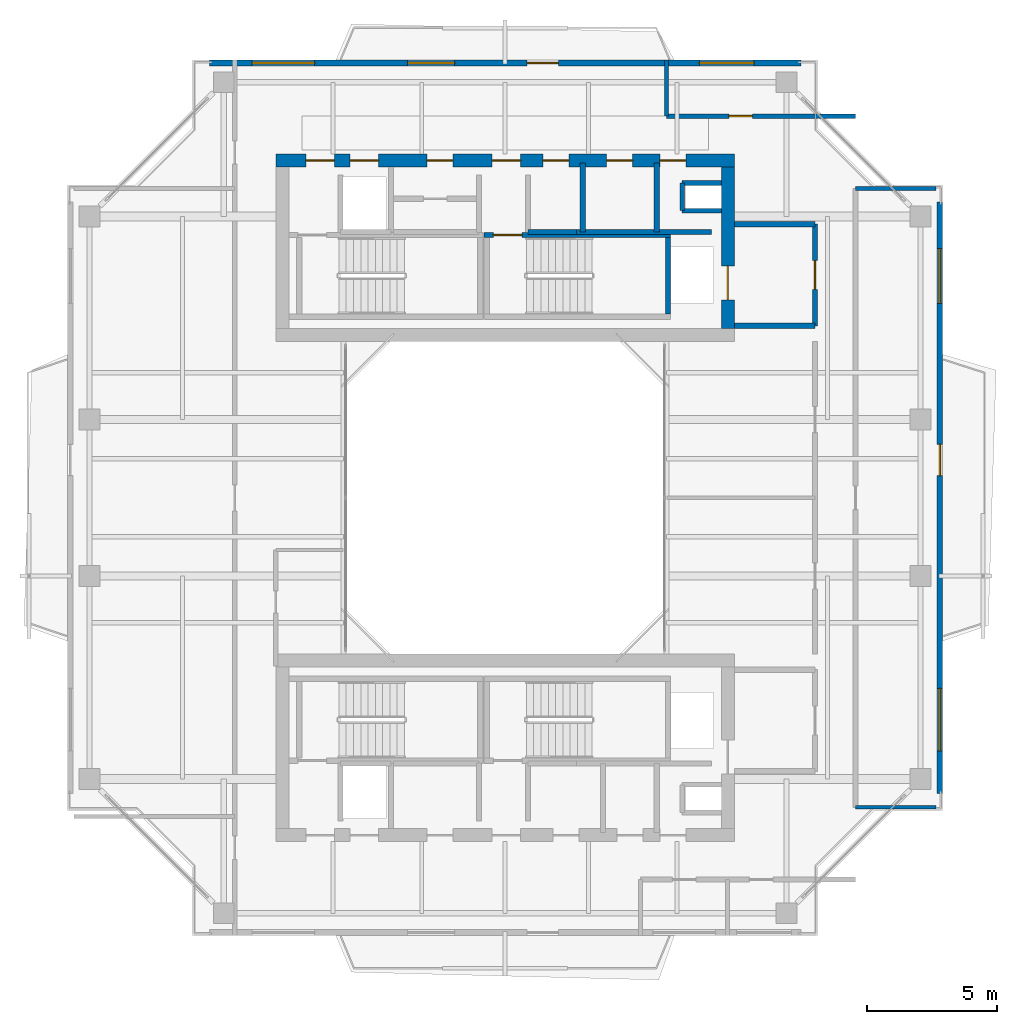
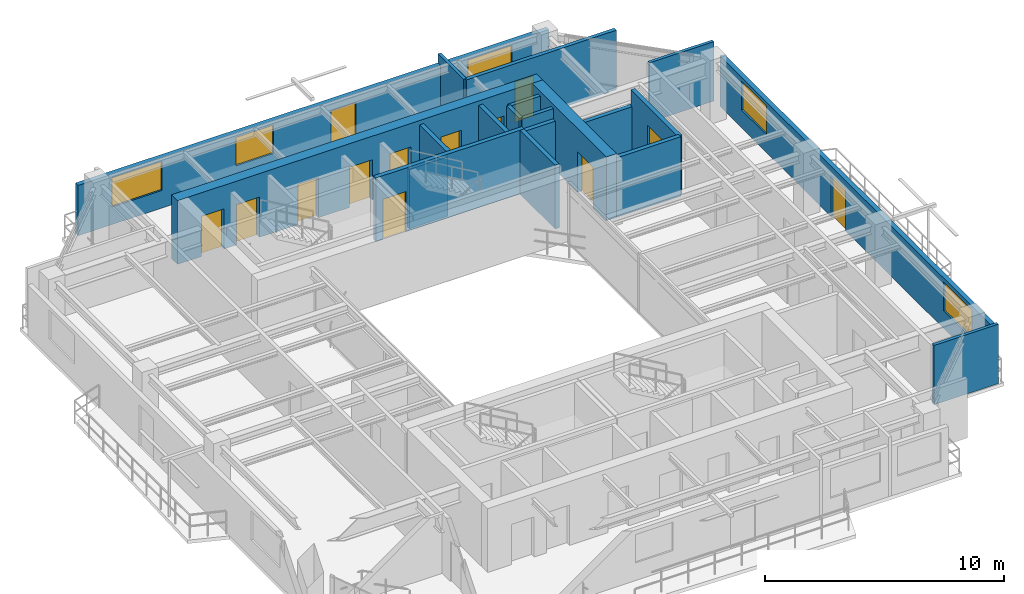
# One storey, part 12 of 16: 20 walls, 13 doors, 5 windows, 18 openings.
"""IFC4 building model written with IfcOpenShell, lengths in metres."""

import ifcopenshell
import ifcopenshell.guid

model = None  # the IFC model being written
_history = None  # IfcOwnerHistory: only IFC2X3 demands one
_inside = {}  # id of a spatial element -> (the spatial element, [elements in it])
_under = {}  # id of a project, library or spatial element -> (it, [spatial elements below it])
_declared = {}  # id of a project -> (the project, [libraries it declares])
_typed = {}  # id of a type object -> (the type object, [elements of that type])
_made_of = {}  # id of a material, layer set ... -> (it, [elements and type objects made of it])


def new_model(schema):
    """Start an empty IFC model of exactly this schema.

    Asked for "IFC4X3", IfcOpenShell would pick the latest addendum, in which some entities
    have other attributes; the version numbers below select the first issue.
    IFC2X3 requires an IfcOwnerHistory on every rooted entity: one is made here for all.
    """
    global model, _history
    if schema == "IFC4X3":
        model = ifcopenshell.file(schema_version=(4, 3, 0, 0))
    else:
        model = ifcopenshell.file(schema=schema)
    _inside.clear()
    _under.clear()
    _declared.clear()
    _typed.clear()
    _made_of.clear()
    _history = None
    if model.schema == "IFC2X3":
        org = make("IfcOrganization", Name="unknown")
        user = make(
            "IfcPersonAndOrganization",
            ThePerson=make("IfcPerson", FamilyName="unknown"),
            TheOrganization=org,
        )
        app = make(
            "IfcApplication",
            ApplicationDeveloper=org,
            Version="unknown",
            ApplicationFullName="unknown",
            ApplicationIdentifier="unknown",
        )
        _history = make(
            "IfcOwnerHistory",
            OwningUser=user,
            OwningApplication=app,
            ChangeAction="ADDED",
            CreationDate=0,
        )
    return model


def make(cls, **values):
    """One entity of the class cls with the attributes given. An attribute that is None is left unset."""
    return model.create_entity(
        cls, **{name: value for name, value in values.items() if value is not None}
    )


def rooted(cls, **values):
    """An entity with a GlobalId (a new one), such as an element, a storey or a relation."""
    return make(cls, GlobalId=ifcopenshell.guid.new(), OwnerHistory=_history, **values)


def si_unit(unit_type, name, prefix=None):
    """IfcSIUnit, for example si_unit("LENGTHUNIT", "METRE", prefix="MILLI")."""
    return make("IfcSIUnit", UnitType=unit_type, Prefix=prefix, Name=name)


def assignment(units):
    """IfcUnitAssignment: the units of a project."""
    return None if units is None else make("IfcUnitAssignment", Units=units)


def point(xyz):
    """IfcCartesianPoint."""
    return None if xyz is None else make("IfcCartesianPoint", Coordinates=xyz)


def direction(xyz):
    """IfcDirection."""
    return None if xyz is None else make("IfcDirection", DirectionRatios=xyz)


def frame(location, z_axis=None, x_axis=None):
    """IfcAxis2Placement3D, a coordinate frame: its origin and axes. An axis left out is left unset."""
    return make(
        "IfcAxis2Placement3D",
        Location=point(location),
        Axis=direction(z_axis),
        RefDirection=direction(x_axis),
    )


def frame_2d(location, x_axis=None):
    """IfcAxis2Placement2D, a coordinate frame in the plane: its origin and x axis."""
    return make(
        "IfcAxis2Placement2D", Location=point(location), RefDirection=direction(x_axis)
    )


def origin():
    """The frame at (0, 0, 0) with its axes left unset."""
    return frame((0.0, 0.0, 0.0))


def place(relative_to, where):
    """IfcLocalPlacement: puts the frame where relative to a parent placement (None: the world)."""
    return make(
        "IfcLocalPlacement", PlacementRelTo=relative_to, RelativePlacement=where
    )


def context(
    kind, dimensions, precision=None, world=None, true_north=None, identifier=None
):
    """IfcGeometricRepresentationContext, for example the 3D "Model" context."""
    return make(
        "IfcGeometricRepresentationContext",
        ContextIdentifier=identifier,
        ContextType=kind,
        CoordinateSpaceDimension=dimensions,
        Precision=precision,
        WorldCoordinateSystem=world,
        TrueNorth=true_north,
    )


def subcontext(parent, identifier, kind, view, scale=None):
    """IfcGeometricRepresentationSubContext, for example "Body" below "Model"."""
    return make(
        "IfcGeometricRepresentationSubContext",
        ContextIdentifier=identifier,
        ContextType=kind,
        ParentContext=parent,
        TargetScale=scale,
        TargetView=view,
    )


def project(units=None, contexts=None):
    """IfcProject with its units and contexts."""
    return rooted(
        "IfcProject",
        Name="project",
        RepresentationContexts=contexts,
        UnitsInContext=assignment(units),
    )


def spatial(cls, under=None, at=None, **own):
    """A site, building, storey or space (cls), placed at a placement, below another one or the project."""
    s = rooted(cls, ObjectPlacement=at, **own)
    if under is not None:
        _under.setdefault(under.id(), (under, []))[1].append(s)
    return s


def profile(cls, at=None, kind="AREA", **sizes):
    """A parametric profile (cls). Its sizes go by their IFC names, for example OverallWidth=200.0."""
    return make(cls, ProfileType=kind, Position=at, **sizes)


def rectangle(**sizes):
    """IfcRectangleProfileDef."""
    return profile("IfcRectangleProfileDef", **sizes)


def extrude(swept, where, along, depth):
    """IfcExtrudedAreaSolid: the profile swept, set in the frame where, extruded along a direction by depth."""
    return make(
        "IfcExtrudedAreaSolid",
        SweptArea=swept,
        Position=where,
        ExtrudedDirection=direction(along),
        Depth=depth,
    )


def shape(context_of_items, identifier, shape_type, items):
    """IfcShapeRepresentation: the items that make up one representation, for example the "Body"."""
    return make(
        "IfcShapeRepresentation",
        ContextOfItems=context_of_items,
        RepresentationIdentifier=identifier,
        RepresentationType=shape_type,
        Items=items,
    )


def source(mapping_origin, context_of_items, identifier, shape_type, items):
    """IfcRepresentationMap: a shape defined once, which mapped items show again and again."""
    return make(
        "IfcRepresentationMap",
        MappingOrigin=mapping_origin,
        MappedRepresentation=shape(context_of_items, identifier, shape_type, items),
    )


def transform(
    local_origin,
    x_axis=None,
    y_axis=None,
    z_axis=None,
    scale=None,
    scale2=None,
    scale3=None,
    uniform=True,
):
    """IfcCartesianTransformationOperator3D, or its non-uniform kind. x_axis, y_axis, z_axis: its Axis1, 2, 3."""
    if uniform:
        return make(
            "IfcCartesianTransformationOperator3D",
            Axis1=direction(x_axis),
            Axis2=direction(y_axis),
            LocalOrigin=point(local_origin),
            Scale=scale,
            Axis3=direction(z_axis),
        )
    return make(
        "IfcCartesianTransformationOperator3DnonUniform",
        Axis1=direction(x_axis),
        Axis2=direction(y_axis),
        LocalOrigin=point(local_origin),
        Scale=scale,
        Axis3=direction(z_axis),
        Scale2=scale2,
        Scale3=scale3,
    )


def mapped(mapping_source, mapping_target):
    """IfcMappedItem: shows the shape of a source again, moved by a transform."""
    return make(
        "IfcMappedItem", MappingSource=mapping_source, MappingTarget=mapping_target
    )


def material(Name=None, Category=None):
    """IfcMaterial."""
    return make("IfcMaterial", Name=Name, Category=Category)


def layer(
    of_material, thickness, ventilated=None, Name=None, Category=None, Priority=None
):
    """IfcMaterialLayer: one layer of a wall or slab, of a material (None: an air gap)."""
    return make(
        "IfcMaterialLayer",
        Material=of_material,
        LayerThickness=thickness,
        IsVentilated=ventilated,
        Name=Name,
        Category=Category,
        Priority=Priority,
    )


def layer_set(layers, Name=None):
    """IfcMaterialLayerSet."""
    return make("IfcMaterialLayerSet", MaterialLayers=layers, LayerSetName=Name)


def made_of(thing, what):
    """Note that an element or type object is made of a material, layer set ...; save() writes the relation."""
    if what is not None:
        _made_of.setdefault(what.id(), (what, []))[1].append(thing)
    return thing


def type_object(cls, material=None, **own):
    """A type object (cls), such as IfcWallType, which elements share."""
    return made_of(rooted(cls, **own), material)


def element(
    cls,
    number,
    at=None,
    inside=None,
    cuts=None,
    type_object=None,
    material=None,
    context=None,
    identifier="Body",
    shape_type=None,
    held_by="IfcProductDefinitionShape",
    body=None,
    shapes=None,
    **own,
):
    """One element of the class cls, such as IfcWall. Its Tag is "e" and its number.

    at: its placement. inside: the storey or other place that contains it. cuts: it is an
    opening in that element (IfcRelVoidsElement). A single representation is given by context,
    identifier, shape_type and body (its items); several are given by shapes. held_by: the class
    of the entity that holds the representations. save() writes the other relations.
    """
    e = rooted(cls, Tag="e%d" % number, ObjectPlacement=at, **own)
    if body is not None:
        shapes = [shape(context, identifier, shape_type, body)]
    if shapes is not None:
        e.Representation = make(held_by, Representations=shapes)
    if inside is not None:
        _inside.setdefault(inside.id(), (inside, []))[1].append(e)
    if cuts is not None:
        rooted(
            "IfcRelVoidsElement", RelatingBuildingElement=cuts, RelatedOpeningElement=e
        )
    if type_object is not None:
        _typed.setdefault(type_object.id(), (type_object, []))[1].append(e)
    return made_of(e, material)


def fill(opening, filler):
    """IfcRelFillsElement: the door or window that sits in an opening."""
    return rooted(
        "IfcRelFillsElement",
        RelatingOpeningElement=opening,
        RelatedBuildingElement=filler,
    )


def aggregate(whole, parts):
    """IfcRelAggregates: a whole, such as a stair, and the parts it consists of."""
    return rooted("IfcRelAggregates", RelatingObject=whole, RelatedObjects=parts)


def save(model, path):
    """Write the relations noted so far, then the file.

    IfcRelAggregates (storeys below a building ...), IfcRelContainedInSpatialStructure (elements
    in a storey), IfcRelDefinesByType, IfcRelAssociatesMaterial and IfcRelDeclares: one each for
    every whole, place, type object, material and project.
    """
    for whole, parts in _under.values():
        aggregate(whole, parts)
    for where, things in _inside.values():
        rooted(
            "IfcRelContainedInSpatialStructure",
            RelatedElements=things,
            RelatingStructure=where,
        )
    for kind, things in _typed.values():
        rooted("IfcRelDefinesByType", RelatedObjects=things, RelatingType=kind)
    for what, things in _made_of.values():
        rooted("IfcRelAssociatesMaterial", RelatedObjects=things, RelatingMaterial=what)
    for by, libraries in _declared.values():
        rooted("IfcRelDeclares", RelatingContext=by, RelatedDefinitions=libraries)
    model.write(path)


model = new_model("IFC4")

# Units and contexts
model_context = context("Model", 3, precision=1e-05, world=origin(), true_north=direction((0.0, 1.0)))
body_context = subcontext(model_context, "Body", "Model", "MODEL_VIEW")
ifc_project = project(units=[si_unit("LENGTHUNIT", "METRE"), si_unit("AREAUNIT", "SQUARE_METRE"), si_unit("VOLUMEUNIT", "CUBIC_METRE"), si_unit("PLANEANGLEUNIT", "RADIAN"), si_unit("MASSUNIT", "GRAM", prefix="KILO"), si_unit("THERMODYNAMICTEMPERATUREUNIT", "KELVIN"), si_unit("POWERUNIT", "WATT")], contexts=[model_context])

# Site, building, storey
site_placement = place(None, origin())
site = spatial("IfcSite", under=ifc_project, at=site_placement, CompositionType="ELEMENT")
building_placement = place(site_placement, origin())
building = spatial("IfcBuilding", under=site, at=building_placement, Name="Qiaomeng Ring Towers", CompositionType="ELEMENT")
storey_placement = place(building_placement, frame((0.0, 0.0, 229.5)))
storey = spatial("IfcBuildingStorey", under=building, at=storey_placement, Name="L67", CompositionType="ELEMENT", Elevation=229.5)

# Wall, openings, windows, door
ifc_material_1 = material(Name="Precast concrete C40", Category="concrete")
ifc_layer_1 = layer(ifc_material_1, 0.219970703125, Name="Precast concrete C40")
ifc_layer_set_1 = layer_set([ifc_layer_1], Name="Precast concrete C40")
wall_type_1 = type_object("IfcWallType", Name="ARC-WL-EW2", PredefinedType="STANDARD", material=ifc_layer_set_1)
wall_1_placement = place(storey_placement, frame((7.64990234375, 39.68994140625, 0.0), z_axis=(0.0, 0.0, 1.0), x_axis=(1.0, 0.0, 0.0)))
wall_1 = element("IfcWall", 1, at=wall_1_placement, inside=storey, type_object=wall_type_1, Name="L67 Tower 1 N Exterior Wall", PredefinedType="STANDARD", context=body_context, shape_type="SweptSolid", body=[
    extrude(rectangle(XDim=22.7001953125, YDim=0.219970703125, at=frame_2d((11.35009765625, 0.0))), origin(), (0.0, 0.0, 1.0), 2.570068359375),
])
opening_1_placement = place(wall_1_placement, frame((12.199951171875, 0.0, 0.0)))
opening_1 = element("IfcOpeningElement", 2, at=opening_1_placement, cuts=wall_1, Name="Opening BD1", PredefinedType="OPENING", context=body_context, shape_type="SweptSolid", body=[
    extrude(rectangle(XDim=1.199951171875, YDim=2.10009765625, at=frame_2d((0.60009765625, 1.050048828125))), frame((0.0, 0.119873046875, 0.0), z_axis=(0.0, -1.0, 0.0), x_axis=(1.0, 0.0, 0.0)), (0.0, 0.0, 1.0), 0.239990234375),
])
opening_2_placement = place(wall_1_placement, frame((1.636962890625, 0.0, 0.89990234375)))
opening_2 = element("IfcOpeningElement", 3, at=opening_2_placement, cuts=wall_1, Name="Opening WN6", PredefinedType="OPENING", context=body_context, shape_type="SweptSolid", body=[
    extrude(rectangle(XDim=2.39990234375, YDim=1.47998046875, at=frame_2d((1.199951171875, 0.739990234375))), frame((0.0, 0.119873046875, 0.0), z_axis=(0.0, -1.0, 0.0), x_axis=(1.0, 0.0, 0.0)), (0.0, 0.0, 1.0), 0.239990234375),
])
opening_3_placement = place(wall_1_placement, frame((7.612060546875, 0.0, 0.89990234375)))
opening_3 = element("IfcOpeningElement", 4, at=opening_3_placement, cuts=wall_1, Name="Opening WN1", PredefinedType="OPENING", context=body_context, shape_type="SweptSolid", body=[
    extrude(rectangle(XDim=1.800048828125, YDim=1.449951171875, at=frame_2d((0.89990234375, 0.72509765625))), frame((0.0, 0.119873046875, 0.0), z_axis=(0.0, -1.0, 0.0), x_axis=(1.0, 0.0, 0.0)), (0.0, 0.0, 1.0), 0.239990234375),
])
opening_4_placement = place(wall_1_placement, frame((18.81201171875, 0.0, 0.89990234375)))
opening_4 = element("IfcOpeningElement", 5, at=opening_4_placement, cuts=wall_1, Name="Opening WN4", PredefinedType="OPENING", context=body_context, shape_type="SweptSolid", body=[
    extrude(rectangle(XDim=2.10009765625, YDim=1.47998046875, at=frame_2d((1.050048828125, 0.739990234375))), frame((0.0, 0.119873046875, 0.0), z_axis=(0.0, -1.0, 0.0), x_axis=(1.0, 0.0, 0.0)), (0.0, 0.0, 1.0), 0.239990234375),
])
ifc_material_2 = material(Name="Low-E dark-grey laminated double glazing", Category="glass")
window_type_1 = type_object("IfcWindowType", Name="ARC-WN-4", PartitioningType="TRIPLE_PANEL_VERTICAL", PredefinedType="WINDOW", material=ifc_material_2)
shared_shape_1 = source(origin(), body_context, "Body", "SweptSolid", [
    extrude(rectangle(XDim=2.10009765625, YDim=1.47998046875, at=frame_2d((1.050048828125, 0.739990234375))), frame((0.0, 0.030029296875, 0.0), z_axis=(0.0, -1.0, 0.0), x_axis=(1.0, 0.0, 0.0)), (0.0, 0.0, 1.0), 0.06005859375),
])
window_1_placement = place(opening_4_placement, origin())
window_1 = element("IfcWindow", 6, at=window_1_placement, inside=storey, type_object=window_type_1, Name="L67 Exterior Window WN4", OverallHeight=1.47998046875, OverallWidth=2.10009765625, PartitioningType="TRIPLE_PANEL_VERTICAL", PredefinedType="WINDOW", context=body_context, shape_type="MappedRepresentation", body=[
    mapped(shared_shape_1, transform((0.0, 0.0, 0.0), x_axis=(1.0, 0.0, 0.0), y_axis=(0.0, 1.0, 0.0), z_axis=(0.0, 0.0, 1.0), scale=1.0)),
])
fill(opening_4, window_1)
window_type_2 = type_object("IfcWindowType", Name="ARC-WN-1", PartitioningType="DOUBLE_PANEL_VERTICAL", PredefinedType="WINDOW", material=ifc_material_2)
shared_shape_2 = source(origin(), body_context, "Body", "SweptSolid", [
    extrude(rectangle(XDim=1.800048828125, YDim=1.449951171875, at=frame_2d((0.89990234375, 0.72509765625))), frame((0.0, 0.030029296875, 0.0), z_axis=(0.0, -1.0, 0.0), x_axis=(1.0, 0.0, 0.0)), (0.0, 0.0, 1.0), 0.06005859375),
])
window_2_placement = place(opening_3_placement, origin())
window_2 = element("IfcWindow", 7, at=window_2_placement, inside=storey, type_object=window_type_2, Name="L67 Exterior Window WN1", OverallHeight=1.449951171875, OverallWidth=1.800048828125, PartitioningType="DOUBLE_PANEL_VERTICAL", PredefinedType="WINDOW", context=body_context, shape_type="MappedRepresentation", body=[
    mapped(shared_shape_2, transform((0.0, 0.0, 0.0), x_axis=(1.0, 0.0, 0.0), y_axis=(0.0, 1.0, 0.0), z_axis=(0.0, 0.0, 1.0), scale=1.0)),
])
fill(opening_3, window_2)
window_type_3 = type_object("IfcWindowType", Name="ARC-WN-6", PartitioningType="TRIPLE_PANEL_VERTICAL", PredefinedType="WINDOW", material=ifc_material_2)
shared_shape_3 = source(origin(), body_context, "Body", "SweptSolid", [
    extrude(rectangle(XDim=2.39990234375, YDim=1.47998046875, at=frame_2d((1.199951171875, 0.739990234375))), frame((0.0, 0.030029296875, 0.0), z_axis=(0.0, -1.0, 0.0), x_axis=(1.0, 0.0, 0.0)), (0.0, 0.0, 1.0), 0.06005859375),
])
window_3_placement = place(opening_2_placement, origin())
window_3 = element("IfcWindow", 8, at=window_3_placement, inside=storey, type_object=window_type_3, Name="L67 Exterior Window WN6", OverallHeight=1.47998046875, OverallWidth=2.39990234375, PartitioningType="TRIPLE_PANEL_VERTICAL", PredefinedType="WINDOW", context=body_context, shape_type="MappedRepresentation", body=[
    mapped(shared_shape_3, transform((0.0, 0.0, 0.0), x_axis=(1.0, 0.0, 0.0), y_axis=(0.0, 1.0, 0.0), z_axis=(0.0, 0.0, 1.0), scale=1.0)),
])
fill(opening_2, window_3)
door_type_1 = type_object("IfcDoorType", Name="ARC-DR-BD1", OperationType="NOTDEFINED", PredefinedType="DOOR", material=ifc_material_2)
shared_shape_4 = source(origin(), body_context, "Body", "SweptSolid", [
    extrude(rectangle(XDim=1.199951171875, YDim=2.10009765625, at=frame_2d((0.60009765625, 1.050048828125))), frame((0.0, 0.02490234375, 0.0), z_axis=(0.0, -1.0, 0.0), x_axis=(1.0, 0.0, 0.0)), (0.0, 0.0, 1.0), 0.050048828125),
])
door_1_placement = place(opening_1_placement, origin())
door_1 = element("IfcDoor", 9, at=door_1_placement, inside=storey, type_object=door_type_1, Name="L67 N Balcony Glazed Door", OperationType="SINGLE_SWING_LEFT", OverallHeight=2.10009765625, OverallWidth=1.199951171875, PredefinedType="DOOR", context=body_context, shape_type="MappedRepresentation", body=[
    mapped(shared_shape_4, transform((0.0, 0.0, 0.0), x_axis=(1.0, 0.0, 0.0), y_axis=(0.0, 1.0, 0.0), z_axis=(0.0, 0.0, 1.0), scale=1.0)),
])
fill(opening_1, door_1)

wall_2_placement = place(storey_placement, frame((35.68994140625, 11.64990234375, 0.0), z_axis=(0.0, 0.0, 1.0), x_axis=(0.0, 1.0, 0.0)))
wall_2 = element("IfcWall", 10, at=wall_2_placement, inside=storey, type_object=wall_type_1, Name="L67 Tower 1 E Exterior Wall", PredefinedType="STANDARD", context=body_context, shape_type="SweptSolid", body=[
    extrude(rectangle(XDim=22.7001953125, YDim=0.219970703125, at=frame_2d((11.35009765625, 0.0))), origin(), (0.0, 0.0, 1.0), 2.570068359375),
])
opening_5_placement = place(wall_2_placement, frame((12.199951171875, 0.0, 0.0)))
opening_5 = element("IfcOpeningElement", 11, at=opening_5_placement, cuts=wall_2, Name="Opening BD1", PredefinedType="OPENING", context=body_context, shape_type="SweptSolid", body=[
    extrude(rectangle(XDim=1.199951171875, YDim=2.10009765625, at=frame_2d((0.60009765625, 1.050048828125))), frame((0.0, 0.119873046875, 0.0), z_axis=(0.0, -1.0, 0.0), x_axis=(1.0, 0.0, 0.0)), (0.0, 0.0, 1.0), 0.239990234375),
])
opening_6_placement = place(wall_2_placement, frame((1.637939453125, 0.0, 0.89990234375)))
opening_6 = element("IfcOpeningElement", 12, at=opening_6_placement, cuts=wall_2, Name="Opening WN6", PredefinedType="OPENING", context=body_context, shape_type="SweptSolid", body=[
    extrude(rectangle(XDim=2.39990234375, YDim=1.47998046875, at=frame_2d((1.199951171875, 0.739990234375))), frame((0.0, 0.119873046875, 0.0), z_axis=(0.0, -1.0, 0.0), x_axis=(1.0, 0.0, 0.0)), (0.0, 0.0, 1.0), 0.239990234375),
])
opening_7_placement = place(wall_2_placement, frame((18.81298828125, 0.0, 0.89990234375)))
opening_7 = element("IfcOpeningElement", 13, at=opening_7_placement, cuts=wall_2, Name="Opening WN4", PredefinedType="OPENING", context=body_context, shape_type="SweptSolid", body=[
    extrude(rectangle(XDim=2.10009765625, YDim=1.47998046875, at=frame_2d((1.050048828125, 0.739990234375))), frame((0.0, 0.119873046875, 0.0), z_axis=(0.0, -1.0, 0.0), x_axis=(1.0, 0.0, 0.0)), (0.0, 0.0, 1.0), 0.239990234375),
])
window_4_placement = place(opening_7_placement, origin())
window_4 = element("IfcWindow", 14, at=window_4_placement, inside=storey, type_object=window_type_1, Name="L67 Exterior Window WN4", OverallHeight=1.47998046875, OverallWidth=2.10009765625, PartitioningType="TRIPLE_PANEL_VERTICAL", PredefinedType="WINDOW", context=body_context, shape_type="MappedRepresentation", body=[
    mapped(shared_shape_1, transform((0.0, 0.0, 0.0), x_axis=(1.0, 0.0, 0.0), y_axis=(0.0, 1.0, 0.0), z_axis=(0.0, 0.0, 1.0), scale=1.0)),
])
fill(opening_7, window_4)
window_5_placement = place(opening_6_placement, origin())
window_5 = element("IfcWindow", 15, at=window_5_placement, inside=storey, type_object=window_type_3, Name="L67 Exterior Window WN6", OverallHeight=1.47998046875, OverallWidth=2.39990234375, PartitioningType="TRIPLE_PANEL_VERTICAL", PredefinedType="WINDOW", context=body_context, shape_type="MappedRepresentation", body=[
    mapped(shared_shape_3, transform((0.0, 0.0, 0.0), x_axis=(1.0, 0.0, 0.0), y_axis=(0.0, 1.0, 0.0), z_axis=(0.0, 0.0, 1.0), scale=1.0)),
])
fill(opening_6, window_5)
door_2_placement = place(opening_5_placement, origin())
door_2 = element("IfcDoor", 16, at=door_2_placement, inside=storey, type_object=door_type_1, Name="L67 E Balcony Glazed Door", OperationType="SINGLE_SWING_LEFT", OverallHeight=2.10009765625, OverallWidth=1.199951171875, PredefinedType="DOOR", context=body_context, shape_type="MappedRepresentation", body=[
    mapped(shared_shape_4, transform((0.0, 0.0, 0.0), x_axis=(1.0, 0.0, 0.0), y_axis=(0.0, 1.0, 0.0), z_axis=(0.0, 0.0, 1.0), scale=1.0)),
])
fill(opening_5, door_2)

# Walls
ifc_material_3 = material(Name="Autoclaved aerated concrete block", Category="concrete")
ifc_layer_2 = layer(ifc_material_3, 0.199951171875, Name="Autoclaved aerated concrete block")
ifc_layer_set_2 = layer_set([ifc_layer_2], Name="Autoclaved aerated concrete block")
wall_type_2 = type_object("IfcWallType", Name="ARC-WL-PW1", PredefinedType="PARTITIONING", material=ifc_layer_set_2)
wall_3_placement = place(storey_placement, frame((27.800048828125, 29.60009765625, 0.0), z_axis=(0.0, 0.0, 1.0), x_axis=(1.0, 0.0, 0.0)))
element("IfcWall", 17, at=wall_3_placement, inside=storey, type_object=wall_type_2, Name="L67 Interior Wall PW1", PredefinedType="PARTITIONING", context=body_context, shape_type="SweptSolid", body=[
    extrude(rectangle(XDim=3.099853515625, YDim=0.199951171875, at=frame_2d((1.5498046875, 0.0))), origin(), (0.0, 0.0, 1.0), 3.030029296875),
])
wall_4_placement = place(storey_placement, frame((27.800048828125, 33.5, 0.0), z_axis=(0.0, 0.0, 1.0), x_axis=(1.0, 0.0, 0.0)))
element("IfcWall", 18, at=wall_4_placement, inside=storey, type_object=wall_type_2, Name="L67 Interior Wall PW1", PredefinedType="PARTITIONING", context=body_context, shape_type="SweptSolid", body=[
    extrude(rectangle(XDim=3.099853515625, YDim=0.199951171875, at=frame_2d((1.5498046875, 0.0))), origin(), (0.0, 0.0, 1.0), 2.22509765625),
])

# Wall, opening, door
wall_5_placement = place(storey_placement, frame((30.89990234375, 29.60009765625, 0.0), z_axis=(0.0, 0.0, 1.0), x_axis=(0.0, 1.0, 0.0)))
wall_5 = element("IfcWall", 19, at=wall_5_placement, inside=storey, type_object=wall_type_2, Name="L67 Interior Wall PW1", PredefinedType="PARTITIONING", context=body_context, shape_type="SweptSolid", body=[
    extrude(rectangle(XDim=3.89990234375, YDim=0.199951171875, at=frame_2d((1.949951171875, 0.0))), origin(), (0.0, 0.0, 1.0), 3.030029296875),
])
opening_8_placement = place(wall_5_placement, frame((1.39990234375, 0.0, 0.0)))
opening_8 = element("IfcOpeningElement", 20, at=opening_8_placement, cuts=wall_5, Name="Opening FD3", PredefinedType="OPENING", context=body_context, shape_type="SweptSolid", body=[
    extrude(rectangle(XDim=1.10009765625, YDim=2.050048828125, at=frame_2d((0.550048828125, 1.02490234375))), frame((0.0, 0.10986328125, 0.0), z_axis=(0.0, -1.0, 0.0), x_axis=(1.0, 0.0, 0.0)), (0.0, 0.0, 1.0), 0.219970703125),
])
ifc_material_4 = material(Name="Galvanised steel", Category="steel")
door_type_2 = type_object("IfcDoorType", Name="ARC-DR-FD3", OperationType="NOTDEFINED", PredefinedType="DOOR", material=ifc_material_4)
shared_shape_5 = source(origin(), body_context, "Body", "SweptSolid", [
    extrude(rectangle(XDim=1.10009765625, YDim=2.050048828125, at=frame_2d((0.550048828125, 1.02490234375))), frame((0.0, 0.02490234375, 0.0), z_axis=(0.0, -1.0, 0.0), x_axis=(1.0, 0.0, 0.0)), (0.0, 0.0, 1.0), 0.050048828125),
])
door_3_placement = place(opening_8_placement, origin())
door_3 = element("IfcDoor", 21, at=door_3_placement, inside=storey, type_object=door_type_2, Name="L67 North FF Lobby Door", OperationType="SINGLE_SWING_RIGHT", OverallHeight=2.050048828125, OverallWidth=1.10009765625, PredefinedType="DOOR", context=body_context, shape_type="MappedRepresentation", body=[
    mapped(shared_shape_5, transform((0.0, 0.0, 0.0), x_axis=(1.0, 0.0, 0.0), y_axis=(0.0, 1.0, 0.0), z_axis=(0.0, 0.0, 1.0), scale=1.0)),
])
fill(opening_8, door_3)

# Walls
wall_6_placement = place(storey_placement, frame((24.820068359375, 33.199951171875, 0.0), z_axis=(0.0, 0.0, 1.0), x_axis=(0.0, 1.0, 0.0)))
element("IfcWall", 22, at=wall_6_placement, inside=storey, type_object=wall_type_2, Name="L67 Interior Wall PW1", PredefinedType="PARTITIONING", context=body_context, shape_type="SweptSolid", body=[
    extrude(rectangle(XDim=2.650146484375, YDim=0.199951171875, at=frame_2d((1.3251953125, 0.0))), origin(), (0.0, 0.0, 1.0), 3.030029296875),
])
wall_7_placement = place(storey_placement, frame((19.8798828125, 33.199951171875, 0.0), z_axis=(0.0, 0.0, 1.0), x_axis=(1.0, 0.0, 0.0)))
element("IfcWall", 23, at=wall_7_placement, inside=storey, type_object=wall_type_2, Name="L67 Interior Wall PW1", PredefinedType="PARTITIONING", context=body_context, shape_type="SweptSolid", body=[
    extrude(rectangle(XDim=1.8701171875, YDim=0.199951171875, at=frame_2d((0.93505859375, 0.0))), origin(), (0.0, 0.0, 1.0), 3.030029296875),
])
wall_8_placement = place(storey_placement, frame((21.97998046875, 33.199951171875, 0.0), z_axis=(0.0, 0.0, 1.0), x_axis=(0.0, 1.0, 0.0)))
element("IfcWall", 24, at=wall_8_placement, inside=storey, type_object=wall_type_2, Name="L67 Interior Wall PW1", PredefinedType="PARTITIONING", context=body_context, shape_type="SweptSolid", body=[
    extrude(rectangle(XDim=2.650146484375, YDim=0.199951171875, at=frame_2d((1.3251953125, 0.0))), origin(), (0.0, 0.0, 1.0), 3.030029296875),
])
wall_9_placement = place(storey_placement, frame((21.75, 33.199951171875, 0.0), z_axis=(0.0, 0.0, 1.0), x_axis=(1.0, 0.0, 0.0)))
element("IfcWall", 25, at=wall_9_placement, inside=storey, type_object=wall_type_2, Name="L67 Interior Wall PW1", PredefinedType="PARTITIONING", context=body_context, shape_type="SweptSolid", body=[
    extrude(rectangle(XDim=5.169921875, YDim=0.199951171875, at=frame_2d((2.5849609375, 0.0))), origin(), (0.0, 0.0, 1.0), 3.030029296875),
])

# Wall, opening, door
ifc_layer_3 = layer(ifc_material_3, 0.179931640625, Name="Autoclaved aerated concrete block")
ifc_layer_set_3 = layer_set([ifc_layer_3], Name="Autoclaved aerated concrete block")
wall_type_3 = type_object("IfcWallType", Name="ARC-WL-PW2", PredefinedType="PARTITIONING", material=ifc_layer_set_3)
wall_10_placement = place(storey_placement, frame((25.199951171875, 37.64990234375, 0.0), z_axis=(0.0, 0.0, 1.0), x_axis=(1.0, 0.0, 0.0)))
wall_10 = element("IfcWall", 26, at=wall_10_placement, inside=storey, type_object=wall_type_3, Name="L67 Interior Wall PW2", PredefinedType="PARTITIONING", context=body_context, shape_type="SweptSolid", body=[
    extrude(rectangle(XDim=7.25, YDim=0.179931640625, at=frame_2d((3.625, 0.0))), origin(), (0.0, 0.0, 1.0), 3.030029296875),
])
opening_9_placement = place(wall_10_placement, frame((2.389892578125, 0.0, 0.0)))
opening_9 = element("IfcOpeningElement", 27, at=opening_9_placement, cuts=wall_10, Name="Opening ID1", PredefinedType="OPENING", context=body_context, shape_type="SweptSolid", body=[
    extrude(rectangle(XDim=0.89990234375, YDim=2.050048828125, at=frame_2d((0.449951171875, 1.02490234375))), frame((0.0, 0.099853515625, 0.0), z_axis=(0.0, -1.0, 0.0), x_axis=(1.0, 0.0, 0.0)), (0.0, 0.0, 1.0), 0.199951171875),
])
ifc_material_5 = material(Name="Engineered oak timber", Category="wood")
door_type_3 = type_object("IfcDoorType", Name="ARC-DR-ID1", OperationType="NOTDEFINED", PredefinedType="DOOR", material=ifc_material_5)
shared_shape_6 = source(origin(), body_context, "Body", "SweptSolid", [
    extrude(rectangle(XDim=0.89990234375, YDim=2.050048828125, at=frame_2d((0.449951171875, 1.02490234375))), frame((0.0, 0.02490234375, 0.0), z_axis=(0.0, -1.0, 0.0), x_axis=(1.0, 0.0, 0.0)), (0.0, 0.0, 1.0), 0.050048828125),
])
door_4_placement = place(opening_9_placement, origin())
door_4 = element("IfcDoor", 28, at=door_4_placement, inside=storey, type_object=door_type_3, Name="L67 Door ID1", OperationType="SINGLE_SWING_LEFT", OverallHeight=2.050048828125, OverallWidth=0.89990234375, PredefinedType="DOOR", context=body_context, shape_type="MappedRepresentation", body=[
    mapped(shared_shape_6, transform((0.0, 0.0, 0.0), x_axis=(1.0, 0.0, 0.0), y_axis=(0.0, 1.0, 0.0), z_axis=(0.0, 0.0, 1.0), scale=1.0)),
])
fill(opening_9, door_4)

# Walls
ifc_material_6 = material(Name="Gypsum fireboard steel-stud partition", Category="steel")
ifc_layer_4 = layer(ifc_material_6, 0.14990234375, Name="Gypsum fireboard steel-stud partition")
ifc_layer_set_4 = layer_set([ifc_layer_4], Name="Gypsum fireboard steel-stud partition")
wall_type_4 = type_object("IfcWallType", Name="ARC-WL-PW3", PredefinedType="PARTITIONING", material=ifc_layer_set_4)
wall_11_placement = place(storey_placement, frame((25.199951171875, 37.64990234375, 0.0), z_axis=(0.0, 0.0, 1.0), x_axis=(0.0, 1.0, 0.0)))
element("IfcWall", 29, at=wall_11_placement, inside=storey, type_object=wall_type_4, Name="L67 Interior Wall PW3", PredefinedType="PARTITIONING", context=body_context, shape_type="SweptSolid", body=[
    extrude(rectangle(XDim=2.150146484375, YDim=0.14990234375, at=frame_2d((1.0751953125, 0.0))), origin(), (0.0, 0.0, 1.0), 3.030029296875),
])
for number, where, z_axis, x_axis, name in (
    (30, (32.449951171875, 34.8798828125, 0.0), (0.0, 0.0, 1.0), (1.0, 0.0, 0.0), "L67 Interior Wall PW3"),
    (31, (32.449951171875, 11.1201171875, 0.0), (0.0, 0.0, 1.0), (1.0, 0.0, 0.0), "L67 Interior Wall PW3"),
):
    element("IfcWall", number, at=place(storey_placement, frame(where, z_axis=z_axis, x_axis=x_axis)), inside=storey, type_object=wall_type_4, Name=name, PredefinedType="PARTITIONING", context=body_context, shape_type="SweptSolid", body=[
        extrude(rectangle(XDim=3.10009765625, YDim=0.14990234375, at=frame_2d((1.550048828125, 0.0))), origin(), (0.0, 0.0, 1.0), 3.030029296875),
    ])
ifc_material_7 = material(Name="Concrete C40", Category="concrete")
ifc_layer_5 = layer(ifc_material_7, 0.199951171875, Name="Concrete C40")
ifc_layer_set_5 = layer_set([ifc_layer_5], Name="Concrete C40")
wall_type_5 = type_object("IfcWallType", Name="STR-WL-STSHAFT", PredefinedType="SHEAR", material=ifc_layer_set_5)
wall_12_placement = place(storey_placement, frame((25.800048828125, 34.02001953125, 0.0), z_axis=(0.0, 0.0, 1.0), x_axis=(0.0, 1.0, 0.0)))
element("IfcWall", 32, at=wall_12_placement, inside=storey, type_object=wall_type_5, Name="L67 Riser RSR1 West Shaft Wall N", PredefinedType="SHEAR", context=body_context, shape_type="SweptSolid", body=[
    extrude(rectangle(XDim=1.06005859375, YDim=0.179931640625, at=frame_2d((0.530029296875, 0.0))), origin(), (0.0, 0.0, 1.0), 3.030029296875),
])
for number, where, z_axis, x_axis, name in (
    (33, (25.800048828125, 35.080078125, 0.0), (0.0, 0.0, 1.0), (1.0, 0.0, 0.0), "L67 Riser RSR1 North Shaft Wall N"),
    (34, (25.800048828125, 34.02001953125, 0.0), (0.0, 0.0, 1.0), (1.0, 0.0, 0.0), "L67 Riser RSR1 South Shaft Wall N"),
):
    element("IfcWall", number, at=place(storey_placement, frame(where, z_axis=z_axis, x_axis=x_axis)), inside=storey, type_object=wall_type_5, Name=name, PredefinedType="SHEAR", context=body_context, shape_type="SweptSolid", body=[
        extrude(rectangle(XDim=1.5, YDim=0.179931640625, at=frame_2d((0.75, 0.0))), origin(), (0.0, 0.0, 1.0), 3.030029296875),
    ])

# Wall, opening, door
wall_13_placement = place(storey_placement, frame((18.199951171875, 33.090087890625, 0.0), z_axis=(0.0, 0.0, 1.0), x_axis=(1.0, 0.0, 0.0)))
wall_13 = element("IfcWall", 35, at=wall_13_placement, inside=storey, type_object=wall_type_5, Name="L67 Stair ST2 North Shaft Shear Wall", PredefinedType="SHEAR", context=body_context, shape_type="SweptSolid", body=[
    extrude(rectangle(XDim=7.150146484375, YDim=0.199951171875, at=frame_2d((3.5751953125, 0.0))), origin(), (0.0, 0.0, 1.0), 3.25),
])
opening_10_placement = place(wall_13_placement, frame((0.35009765625, 0.0, 0.0)))
opening_10 = element("IfcOpeningElement", 36, at=opening_10_placement, cuts=wall_13, Name="Opening FD3", PredefinedType="OPENING", context=body_context, shape_type="SweptSolid", body=[
    extrude(rectangle(XDim=1.10009765625, YDim=2.050048828125, at=frame_2d((0.550048828125, 1.02490234375))), frame((0.0, 0.10986328125, 0.0), z_axis=(0.0, -1.0, 0.0), x_axis=(1.0, 0.0, 0.0)), (0.0, 0.0, 1.0), 0.219970703125),
])
door_5_placement = place(opening_10_placement, origin())
door_5 = element("IfcDoor", 37, at=door_5_placement, inside=storey, type_object=door_type_2, Name="L67 Stair ST2 Exit Door", OperationType="SINGLE_SWING_LEFT", OverallHeight=2.050048828125, OverallWidth=1.10009765625, PredefinedType="DOOR", context=body_context, shape_type="MappedRepresentation", body=[
    mapped(shared_shape_5, transform((0.0, 0.0, 0.0), x_axis=(1.0, 0.0, 0.0), y_axis=(0.0, 1.0, 0.0), z_axis=(0.0, 0.0, 1.0), scale=1.0)),
])
fill(opening_10, door_5)

# Wall
wall_14_placement = place(storey_placement, frame((25.25, 30.050048828125, 0.0), z_axis=(0.0, 0.0, 1.0), x_axis=(0.0, 1.0, 0.0)))
element("IfcWall", 38, at=wall_14_placement, inside=storey, type_object=wall_type_5, Name="L67 Stair ST2 East Shaft Shear Wall", PredefinedType="SHEAR", context=body_context, shape_type="SweptSolid", body=[
    extrude(rectangle(XDim=2.93994140625, YDim=0.199951171875, at=frame_2d((1.469970703125, 0.0))), origin(), (0.0, 0.0, 1.0), 3.25),
])

# Wall, openings, doors
ifc_layer_6 = layer(ifc_material_7, 0.5, Name="Concrete C40")
ifc_layer_set_6 = layer_set([ifc_layer_6], Name="Concrete C40")
wall_type_6 = type_object("IfcWallType", Name="STR-WL-SW3", PredefinedType="SHEAR", material=ifc_layer_set_6)
wall_15_placement = place(storey_placement, frame((10.199951171875, 35.949951171875, 0.0), z_axis=(0.0, 0.0, 1.0), x_axis=(1.0, 0.0, 0.0)))
wall_15 = element("IfcWall", 39, at=wall_15_placement, inside=storey, type_object=wall_type_6, Name="L67 T1NC north core shear wall", PredefinedType="SHEAR", context=body_context, shape_type="SweptSolid", body=[
    extrude(rectangle(XDim=17.60009765625, YDim=0.5, at=frame_2d((8.800048828125, 0.0))), origin(), (0.0, 0.0, 1.0), 3.25),
])
opening_11_placement = place(wall_15_placement, frame((1.14990234375, 0.0, 0.0)))
opening_11 = element("IfcOpeningElement", 40, at=opening_11_placement, cuts=wall_15, Name="Opening FD3", PredefinedType="OPENING", context=body_context, shape_type="SweptSolid", body=[
    extrude(rectangle(XDim=1.10009765625, YDim=2.050048828125, at=frame_2d((0.550048828125, 1.02490234375))), frame((0.0, 0.260009765625, 0.0), z_axis=(0.0, -1.0, 0.0), x_axis=(1.0, 0.0, 0.0)), (0.0, 0.0, 1.0), 0.52001953125),
])
opening_12_placement = place(wall_15_placement, frame((8.300048828125, 0.0, 0.0)))
opening_12 = element("IfcOpeningElement", 41, at=opening_12_placement, cuts=wall_15, Name="Opening FD3", PredefinedType="OPENING", context=body_context, shape_type="SweptSolid", body=[
    extrude(rectangle(XDim=1.10009765625, YDim=2.050048828125, at=frame_2d((0.550048828125, 1.02490234375))), frame((0.0, 0.260009765625, 0.0), z_axis=(0.0, -1.0, 0.0), x_axis=(1.0, 0.0, 0.0)), (0.0, 0.0, 1.0), 0.52001953125),
])
opening_13_placement = place(wall_15_placement, frame((2.85009765625, 0.0, 0.0)))
opening_13 = element("IfcOpeningElement", 42, at=opening_13_placement, cuts=wall_15, Name="Opening LD1", PredefinedType="OPENING", context=body_context, shape_type="SweptSolid", body=[
    extrude(rectangle(XDim=1.10009765625, YDim=2.050048828125, at=frame_2d((0.550048828125, 1.02490234375))), frame((0.0, 0.260009765625, 0.0), z_axis=(0.0, -1.0, 0.0), x_axis=(1.0, 0.0, 0.0)), (0.0, 0.0, 1.0), 0.52001953125),
])
opening_14_placement = place(wall_15_placement, frame((5.800048828125, 0.0, 0.0)))
opening_14 = element("IfcOpeningElement", 43, at=opening_14_placement, cuts=wall_15, Name="Opening FD1", PredefinedType="OPENING", context=body_context, shape_type="SweptSolid", body=[
    extrude(rectangle(XDim=1.0, YDim=2.050048828125, at=frame_2d((0.5, 1.02490234375))), frame((0.0, 0.260009765625, 0.0), z_axis=(0.0, -1.0, 0.0), x_axis=(1.0, 0.0, 0.0)), (0.0, 0.0, 1.0), 0.52001953125),
])
opening_15_placement = place(wall_15_placement, frame((14.739990234375, 0.0, 0.0)))
opening_15 = element("IfcOpeningElement", 44, at=opening_15_placement, cuts=wall_15, Name="Opening FD1", PredefinedType="OPENING", context=body_context, shape_type="SweptSolid", body=[
    extrude(rectangle(XDim=1.0, YDim=2.050048828125, at=frame_2d((0.5, 1.02490234375))), frame((0.0, 0.260009765625, 0.0), z_axis=(0.0, -1.0, 0.0), x_axis=(1.0, 0.0, 0.0)), (0.0, 0.0, 1.0), 0.52001953125),
])
opening_16_placement = place(wall_15_placement, frame((10.25, 0.0, 0.0)))
opening_16 = element("IfcOpeningElement", 45, at=opening_16_placement, cuts=wall_15, Name="Opening FD1", PredefinedType="OPENING", context=body_context, shape_type="SweptSolid", body=[
    extrude(rectangle(XDim=1.0, YDim=2.050048828125, at=frame_2d((0.5, 1.02490234375))), frame((0.0, 0.260009765625, 0.0), z_axis=(0.0, -1.0, 0.0), x_axis=(1.0, 0.0, 0.0)), (0.0, 0.0, 1.0), 0.52001953125),
])
opening_17_placement = place(wall_15_placement, frame((12.699951171875, 0.0, 0.0)))
opening_17 = element("IfcOpeningElement", 46, at=opening_17_placement, cuts=wall_15, Name="Opening FD1", PredefinedType="OPENING", context=body_context, shape_type="SweptSolid", body=[
    extrude(rectangle(XDim=1.0, YDim=2.050048828125, at=frame_2d((0.5, 1.02490234375))), frame((0.0, 0.260009765625, 0.0), z_axis=(0.0, -1.0, 0.0), x_axis=(1.0, 0.0, 0.0)), (0.0, 0.0, 1.0), 0.52001953125),
])
door_6_placement = place(opening_11_placement, origin())
door_6 = element("IfcDoor", 47, at=door_6_placement, inside=storey, type_object=door_type_2, Name="L67 Stair ST1 Lobby Door", OperationType="SINGLE_SWING_RIGHT", OverallHeight=2.050048828125, OverallWidth=1.10009765625, PredefinedType="DOOR", context=body_context, shape_type="MappedRepresentation", body=[
    mapped(shared_shape_5, transform((0.0, 0.0, 0.0), x_axis=(1.0, 0.0, 0.0), y_axis=(0.0, 1.0, 0.0), z_axis=(0.0, 0.0, 1.0), scale=1.0)),
])
fill(opening_11, door_6)
door_7_placement = place(opening_12_placement, origin())
door_7 = element("IfcDoor", 48, at=door_7_placement, inside=storey, type_object=door_type_2, Name="L67 Stair ST2 Lobby Door", OperationType="SINGLE_SWING_RIGHT", OverallHeight=2.050048828125, OverallWidth=1.10009765625, PredefinedType="DOOR", context=body_context, shape_type="MappedRepresentation", body=[
    mapped(shared_shape_5, transform((0.0, 0.0, 0.0), x_axis=(1.0, 0.0, 0.0), y_axis=(0.0, 1.0, 0.0), z_axis=(0.0, 0.0, 1.0), scale=1.0)),
])
fill(opening_12, door_7)
ifc_material_8 = material(Name="Stainless steel 316", Category="steel")
door_type_4 = type_object("IfcDoorType", Name="ARC-DR-LD1", OperationType="NOTDEFINED", PredefinedType="DOOR", material=ifc_material_8)
door_8_placement = place(opening_13_placement, origin())
door_8 = element("IfcDoor", 49, at=door_8_placement, inside=storey, type_object=door_type_4, Name="L67 High-Zone Lift LP5 Landing Door", OperationType="SLIDING_TO_LEFT", OverallHeight=2.050048828125, OverallWidth=1.10009765625, PredefinedType="DOOR", context=body_context, shape_type="MappedRepresentation", body=[
    mapped(shared_shape_5, transform((0.0, 0.0, 0.0), x_axis=(1.0, 0.0, 0.0), y_axis=(0.0, 1.0, 0.0), z_axis=(0.0, 0.0, 1.0), scale=1.0)),
])
fill(opening_13, door_8)
door_type_5 = type_object("IfcDoorType", Name="ARC-DR-FD1", OperationType="NOTDEFINED", PredefinedType="DOOR", material=ifc_material_4)
shared_shape_7 = source(origin(), body_context, "Body", "SweptSolid", [
    extrude(rectangle(XDim=1.0, YDim=2.050048828125, at=frame_2d((0.5, 1.02490234375))), frame((0.0, 0.02490234375, 0.0), z_axis=(0.0, -1.0, 0.0), x_axis=(1.0, 0.0, 0.0)), (0.0, 0.0, 1.0), 0.050048828125),
])
door_9_placement = place(opening_14_placement, origin())
door_9 = element("IfcDoor", 50, at=door_9_placement, inside=storey, type_object=door_type_5, Name="L67 High-Zone Tea Pantry Door", OperationType="SINGLE_SWING_LEFT", OverallHeight=2.050048828125, OverallWidth=1.0, PredefinedType="DOOR", context=body_context, shape_type="MappedRepresentation", body=[
    mapped(shared_shape_7, transform((0.0, 0.0, 0.0), x_axis=(1.0, 0.0, 0.0), y_axis=(0.0, 1.0, 0.0), z_axis=(0.0, 0.0, 1.0), scale=1.0)),
])
fill(opening_14, door_9)
door_10_placement = place(opening_15_placement, origin())
door_10 = element("IfcDoor", 51, at=door_10_placement, inside=storey, type_object=door_type_5, Name="L67 North Electrical Riser Door", OperationType="SINGLE_SWING_LEFT", OverallHeight=2.050048828125, OverallWidth=1.0, PredefinedType="DOOR", context=body_context, shape_type="MappedRepresentation", body=[
    mapped(shared_shape_7, transform((0.0, 0.0, 0.0), x_axis=(1.0, 0.0, 0.0), y_axis=(0.0, 1.0, 0.0), z_axis=(0.0, 0.0, 1.0), scale=1.0)),
])
fill(opening_15, door_10)
door_11_placement = place(opening_16_placement, origin())
door_11 = element("IfcDoor", 52, at=door_11_placement, inside=storey, type_object=door_type_5, Name="L67 North Cleaners Store Door", OperationType="SINGLE_SWING_LEFT", OverallHeight=2.050048828125, OverallWidth=1.0, PredefinedType="DOOR", context=body_context, shape_type="MappedRepresentation", body=[
    mapped(shared_shape_7, transform((0.0, 0.0, 0.0), x_axis=(1.0, 0.0, 0.0), y_axis=(0.0, 1.0, 0.0), z_axis=(0.0, 0.0, 1.0), scale=1.0)),
])
fill(opening_16, door_11)
door_12_placement = place(opening_17_placement, origin())
door_12 = element("IfcDoor", 53, at=door_12_placement, inside=storey, type_object=door_type_5, Name="L67 North Facilities Management Office Door", OperationType="SINGLE_SWING_RIGHT", OverallHeight=2.050048828125, OverallWidth=1.0, PredefinedType="DOOR", context=body_context, shape_type="MappedRepresentation", body=[
    mapped(shared_shape_7, transform((0.0, 0.0, 0.0), x_axis=(1.0, 0.0, 0.0), y_axis=(0.0, 1.0, 0.0), z_axis=(0.0, 0.0, 1.0), scale=1.0)),
])
fill(opening_17, door_12)

# Wall, opening, door
wall_16_placement = place(storey_placement, frame((27.550048828125, 29.5, 0.0), z_axis=(0.0, 0.0, 1.0), x_axis=(0.0, 1.0, 0.0)))
wall_16 = element("IfcWall", 54, at=wall_16_placement, inside=storey, type_object=wall_type_6, Name="L67 T1NC east core shear wall", PredefinedType="SHEAR", context=body_context, shape_type="SweptSolid", body=[
    extrude(rectangle(XDim=6.199951171875, YDim=0.5, at=frame_2d((3.10009765625, 0.0))), origin(), (0.0, 0.0, 1.0), 3.25),
])
opening_18_placement = place(wall_16_placement, frame((1.10009765625, 0.0, 0.0)))
opening_18 = element("IfcOpeningElement", 55, at=opening_18_placement, cuts=wall_16, Name="Opening LD2", PredefinedType="OPENING", context=body_context, shape_type="SweptSolid", body=[
    extrude(rectangle(XDim=1.300048828125, YDim=2.050048828125, at=frame_2d((0.64990234375, 1.02490234375))), frame((0.0, 0.260009765625, 0.0), z_axis=(0.0, -1.0, 0.0), x_axis=(1.0, 0.0, 0.0)), (0.0, 0.0, 1.0), 0.52001953125),
])
door_type_6 = type_object("IfcDoorType", Name="ARC-DR-LD2", OperationType="NOTDEFINED", PredefinedType="DOOR", material=ifc_material_8)
shared_shape_8 = source(origin(), body_context, "Body", "SweptSolid", [
    extrude(rectangle(XDim=1.300048828125, YDim=2.050048828125, at=frame_2d((0.64990234375, 1.02490234375))), frame((0.0, 0.02490234375, 0.0), z_axis=(0.0, -1.0, 0.0), x_axis=(1.0, 0.0, 0.0)), (0.0, 0.0, 1.0), 0.050048828125),
])
door_13_placement = place(opening_18_placement, origin())
door_13 = element("IfcDoor", 56, at=door_13_placement, inside=storey, type_object=door_type_6, Name="L67 Firefighting Lift FL1 Landing Door", OperationType="SLIDING_TO_LEFT", OverallHeight=2.050048828125, OverallWidth=1.300048828125, PredefinedType="DOOR", context=body_context, shape_type="MappedRepresentation", body=[
    mapped(shared_shape_8, transform((0.0, 0.0, 0.0), x_axis=(1.0, 0.0, 0.0), y_axis=(0.0, 1.0, 0.0), z_axis=(0.0, 0.0, 1.0), scale=1.0)),
])
fill(opening_18, door_13)

save(model, "model.ifc")
